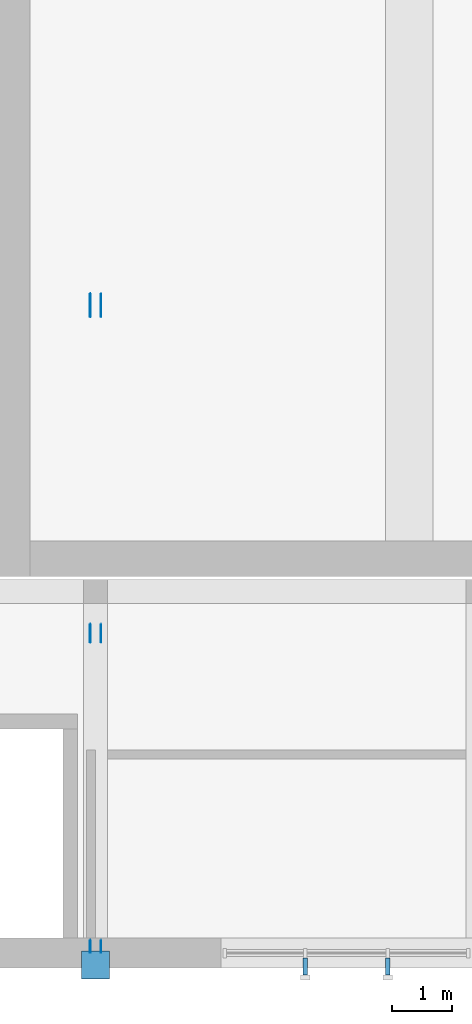
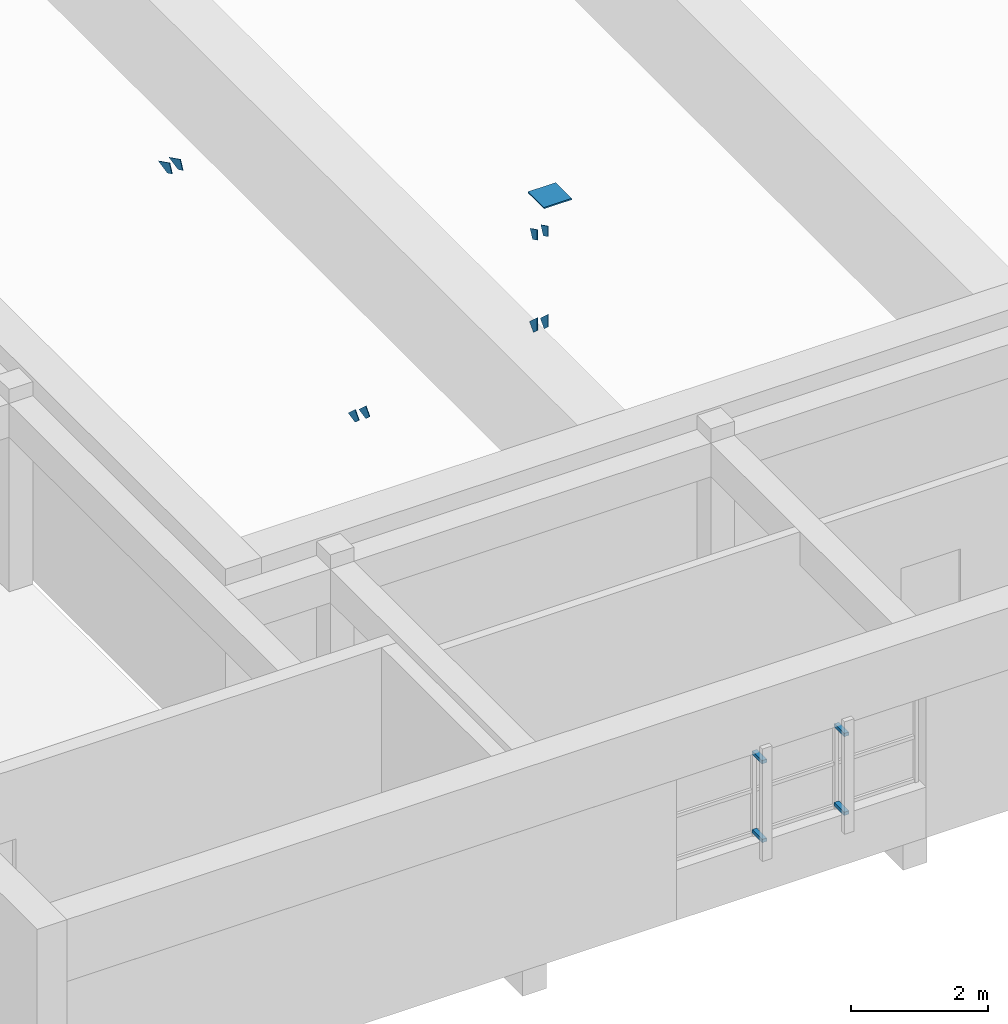
# One storey, part 14 of 28: 13 discrete accessories.
"""IFC4 building model written with IfcOpenShell, lengths in metres."""

from ifc_helpers import new_model, si_unit, direction, frame, origin, origin_2d, place, context, subcontext, project, spatial, polyline, rectangle, outline, extrude, material, layer, layer_set, type_object, element, save


model = new_model("IFC4")

# Units and contexts
model_context = context("Model", 3, precision=1e-05, world=origin(), true_north=direction((0.0, 1.0)))
body_context = subcontext(model_context, "Body", "Model", "MODEL_VIEW")
ifc_project = project(units=[si_unit("LENGTHUNIT", "METRE"), si_unit("AREAUNIT", "SQUARE_METRE"), si_unit("VOLUMEUNIT", "CUBIC_METRE"), si_unit("PLANEANGLEUNIT", "RADIAN"), si_unit("MASSUNIT", "GRAM", prefix="KILO")], contexts=[model_context])

# Site, building, storey
site_placement = place(None, origin())
site = spatial("IfcSite", under=ifc_project, at=site_placement, CompositionType="ELEMENT")
building_placement = place(site_placement, origin())
building = spatial("IfcBuilding", under=site, at=building_placement, Name="Ljudholm Concert House", CompositionType="ELEMENT")
storey_placement = place(building_placement, frame((0.0, 0.0, 19.199951171875)))
storey = spatial("IfcBuildingStorey", under=building, at=storey_placement, Name="L04", CompositionType="ELEMENT", Elevation=19.199951171875)

# Discrete accessories
ifc_material_1 = material(Name="Stainless steel bracket", Category="steel")
discrete_accessory_type_1 = type_object("IfcDiscreteAccessoryType", Name="BRACKET 290", PredefinedType="BRACKET", material=ifc_material_1)
for number, where, z_axis, x_axis, name in (
    (1, (41.110107421875, 54.175048828125, 0.969970703125), (0.0, 0.0, 1.0), (0.0, -1.0, 0.0), "Fin bracket"),
    (2, (41.110107421875, 54.175048828125, 2.3701171875), (0.0, 0.0, 1.0), (0.0, -1.0, 0.0), "Fin bracket"),
    (3, (42.489990234375, 54.175048828125, 0.969970703125), (0.0, 0.0, 1.0), (0.0, -1.0, 0.0), "Fin bracket"),
    (4, (42.489990234375, 54.175048828125, 2.3701171875), (0.0, 0.0, 1.0), (0.0, -1.0, 0.0), "Fin bracket"),
):
    element("IfcDiscreteAccessory", number, at=place(storey_placement, frame(where, z_axis=z_axis, x_axis=x_axis)), inside=storey, type_object=discrete_accessory_type_1, Name=name, PredefinedType="BRACKET", context=body_context, shape_type="SweptSolid", body=[
        extrude(rectangle(XDim=0.2900390625, YDim=0.080078125, at=origin_2d()), origin(), (0.0, 0.0, 1.0), 0.06005859375),
    ])
ifc_material_2 = material(Name="Steel ASTM A36 plate", Category="steel")
ifc_layer_1 = layer(ifc_material_2, 0.011962890625)
ifc_layer_set_1 = layer_set([ifc_layer_1], Name="Steel ASTM A36 plate")
discrete_accessory_type_2 = type_object("IfcDiscreteAccessoryType", Name="GUSSET PLATE 12", PredefinedType="BRACKET", material=ifc_layer_set_1)
for number, where, z_axis, x_axis, name in (
    (5, (37.510009765625, 54.4599609375, -19.199951171875), (0.0, 0.0, 1.0), (0.0, 1.0, 0.0), "Gusset plate"),
    (6, (37.690185546875, 54.4599609375, -19.199951171875), (0.0, 0.0, 1.0), (0.0, 1.0, 0.0), "Gusset plate"),
):
    element("IfcDiscreteAccessory", number, at=place(storey_placement, frame(where, z_axis=z_axis, x_axis=x_axis)), inside=storey, type_object=discrete_accessory_type_2, Name=name, PredefinedType="BRACKET", context=body_context, shape_type="SweptSolid", body=[
        extrude(outline(polyline([(0.053955078125, 30.19921875), (-0.056884765625, 30.30029296875), (-0.056884765625, 30.5283203125), (0.16748046875, 30.323486328125), (0.053955078125, 30.19921875)])), frame((0.0, 0.005859375, 0.0), z_axis=(0.0, -1.0, 0.0), x_axis=(1.0, 0.0, 0.0)), (0.0, 0.0, 1.0), 0.011962890625),
    ])
for number, where, z_axis, x_axis, name in (
    (7, (37.510009765625, 54.4599609375, -19.199951171875), (0.0, 0.0, 1.0), (0.0, 1.0, 0.0), "Gusset plate"),
    (8, (37.690185546875, 54.4599609375, -19.199951171875), (0.0, 0.0, 1.0), (0.0, 1.0, 0.0), "Gusset plate"),
):
    element("IfcDiscreteAccessory", number, at=place(storey_placement, frame(where, z_axis=z_axis, x_axis=x_axis)), inside=storey, type_object=discrete_accessory_type_2, Name=name, PredefinedType="BRACKET", context=body_context, shape_type="SweptSolid", body=[
        extrude(outline(polyline([(5.250732421875, 25.67919921875), (5.451904296875, 25.495361328125), (5.247802734375, 25.453857421875), (5.13720703125, 25.554931640625), (5.250732421875, 25.67919921875)])), frame((0.0, 0.005859375, 0.0), z_axis=(0.0, -1.0, 0.0), x_axis=(1.0, 0.0, 0.0)), (0.0, 0.0, 1.0), 0.011962890625),
    ])
for number, where, z_axis, x_axis, name in (
    (9, (37.510009765625, 54.440673828125, -19.199951171875), (0.0, 0.0, 1.0), (0.0, 1.0, 0.0), "Gusset plate"),
    (10, (37.690185546875, 54.440673828125, -19.199951171875), (0.0, 0.0, 1.0), (0.0, 1.0, 0.0), "Gusset plate"),
):
    element("IfcDiscreteAccessory", number, at=place(storey_placement, frame(where, z_axis=z_axis, x_axis=x_axis)), inside=storey, type_object=discrete_accessory_type_2, Name=name, PredefinedType="BRACKET", context=body_context, shape_type="SweptSolid", body=[
        extrude(outline(polyline([(0.096923828125, 31.8388671875), (-0.037353515625, 31.905517578125), (-0.037353515625, 32.09326171875), (0.171875, 31.989501953125), (0.096923828125, 31.8388671875)])), frame((0.0, 0.005859375, 0.0), z_axis=(0.0, -1.0, 0.0), x_axis=(1.0, 0.0, 0.0)), (0.0, 0.0, 1.0), 0.011962890625),
    ])
for number, where, z_axis, x_axis, name in (
    (11, (37.510009765625, 54.440673828125, -19.199951171875), (0.0, 0.0, 1.0), (0.0, 1.0, 0.0), "Gusset plate"),
    (12, (37.690185546875, 54.440673828125, -19.199951171875), (0.0, 0.0, 1.0), (0.0, 1.0, 0.0), "Gusset plate"),
):
    element("IfcDiscreteAccessory", number, at=place(storey_placement, frame(where, z_axis=z_axis, x_axis=x_axis)), inside=storey, type_object=discrete_accessory_type_2, Name=name, PredefinedType="BRACKET", context=body_context, shape_type="SweptSolid", body=[
        extrude(outline(polyline([(10.67529296875, 26.78369140625), (11.003662109375, 26.620849609375), (10.735107421875, 26.566162109375), (10.6005859375, 26.6328125), (10.67529296875, 26.78369140625)])), frame((0.0, 0.005859375, 0.0), z_axis=(0.0, -1.0, 0.0), x_axis=(1.0, 0.0, 0.0)), (0.0, 0.0, 1.0), 0.011962890625),
    ])
ifc_material_3 = material(Name="Steel ASTM A36 plate", Category="steel")
ifc_layer_2 = layer(ifc_material_3, 0.02490234375)
ifc_layer_set_2 = layer_set([ifc_layer_2], Name="Steel ASTM A36 plate")
discrete_accessory_type_3 = type_object("IfcDiscreteAccessoryType", Name="MAST CAP PLATE 25", PredefinedType="BRACKET", material=ifc_layer_set_2)
discrete_accessory_placement = place(storey_placement, frame((37.60009765625, 54.199951171875, 13.5751953125), z_axis=(0.0, 0.0, 1.0), x_axis=(1.0, 0.0, 0.0)))
element("IfcDiscreteAccessory", 13, at=discrete_accessory_placement, inside=storey, type_object=discrete_accessory_type_3, Name="Mast cap plate", PredefinedType="BRACKET", context=body_context, shape_type="SweptSolid", body=[
    extrude(rectangle(XDim=0.46630859375, YDim=0.46630859375, at=origin_2d()), origin(), (0.0, 0.0, 1.0), 0.02490234375),
])

save(model, "model.ifc")
